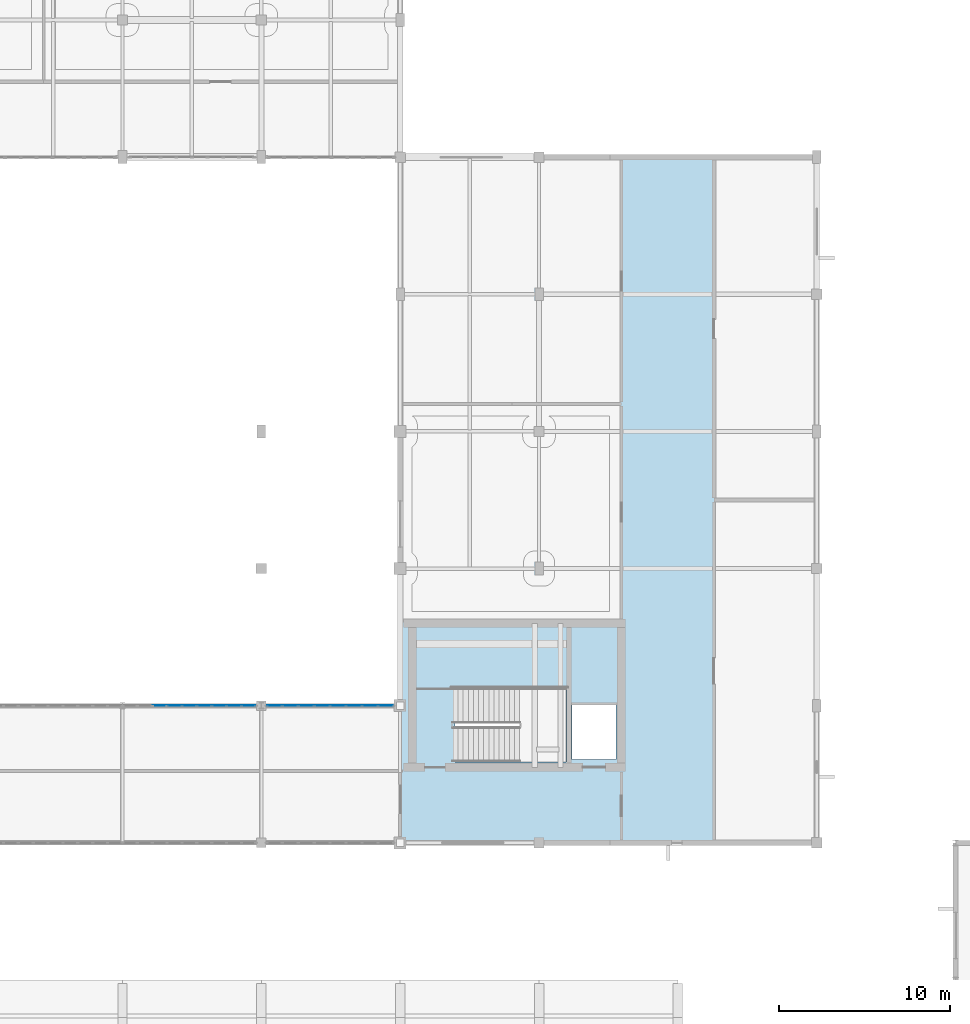
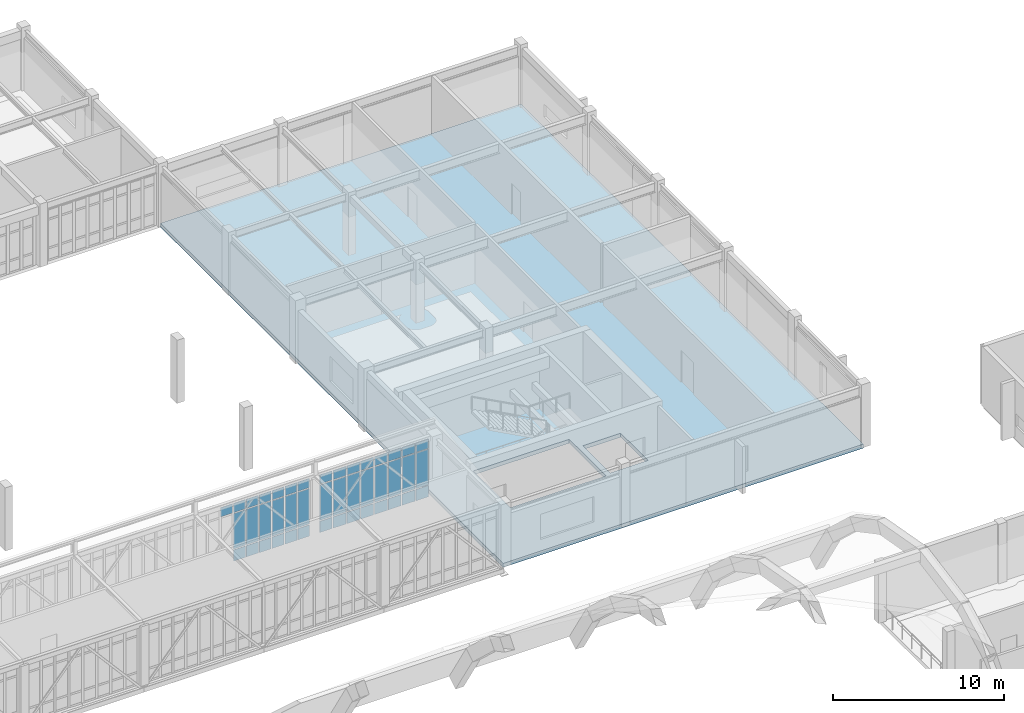
# One storey, part 43 of 67: 43 plates, 1 slab, 2 elements without a shape of their own.
"""IFC4 building model written with IfcOpenShell, lengths in metres."""

from ifc_helpers import new_model, si_unit, direction, frame, origin, origin_2d, place, context, subcontext, project, spatial, polyline, rectangle, outline, extrude, material, layer, layer_set, type_object, element, aggregate, save


model = new_model("IFC4")

# Units and contexts
model_context = context("Model", 3, precision=1e-05, world=origin(), true_north=direction((0.0, 1.0)))
body_context = subcontext(model_context, "Body", "Model", "MODEL_VIEW")
ifc_project = project(units=[si_unit("LENGTHUNIT", "METRE"), si_unit("AREAUNIT", "SQUARE_METRE"), si_unit("VOLUMEUNIT", "CUBIC_METRE"), si_unit("PLANEANGLEUNIT", "RADIAN"), si_unit("MASSUNIT", "GRAM", prefix="KILO")], contexts=[model_context])

# Site, building, storey
site_placement = place(None, origin())
site = spatial("IfcSite", under=ifc_project, at=site_placement, CompositionType="ELEMENT")
building_placement = place(site_placement, origin())
building = spatial("IfcBuilding", under=site, at=building_placement, Name="Tarnveldt Square Police Headquarters", CompositionType="ELEMENT")
storey_placement = place(building_placement, frame((0.0, 0.0, 10.199951171875)))
storey = spatial("IfcBuildingStorey", under=building, at=storey_placement, Name="L02", CompositionType="ELEMENT", Elevation=10.199951171875)

# Curtain wall, plates
ifc_material_1 = material(Name="Triple-glazed low-e laminated vision glass", Category="glass")
curtain_wall_type_1 = type_object("IfcCurtainWallType", Name="CW-SB-781x424", PredefinedType="USERDEFINED", material=ifc_material_1)
curtain_wall_1_placement = place(storey_placement, origin())
curtain_wall_1 = element("IfcCurtainWall", 1, at=curtain_wall_1_placement, inside=storey, type_object=curtain_wall_type_1, Name="L02 Curtain Wall CW-L02-150", ObjectType="GLAZED CURTAIN WALL", PredefinedType="USERDEFINED")
ifc_layer_1 = layer(ifc_material_1, 0.028076171875)
ifc_layer_set_1 = layer_set([ifc_layer_1], Name="Triple-glazed low-e laminated vision glass")
plate_type = type_object("IfcPlateType", Name="CWP-VIS-28", PredefinedType="CURTAIN_PANEL", material=ifc_layer_set_1)
plate_1_placement = place(storey_placement, frame((91.26953125, 64.0, 3.5224609375), z_axis=(0.0, 0.0, 1.0), x_axis=(1.0, 0.0, 0.0)))
plate_1 = element("IfcPlate", 2, at=plate_1_placement, type_object=plate_type, Name="CW-SB87 panel 3.3", PredefinedType="CURTAIN_PANEL", context=body_context, shape_type="SweptSolid", body=[
    extrude(rectangle(XDim=0.802734375, YDim=0.028076171875, at=origin_2d()), origin(), (0.0, 0.0, 1.0), 0.652587890625),
])
plate_2_placement = place(storey_placement, frame((92.13720703125, 64.0, 0.06494140625), z_axis=(0.0, 0.0, 1.0), x_axis=(1.0, 0.0, 0.0)))
plate_2 = element("IfcPlate", 3, at=plate_2_placement, type_object=plate_type, Name="CW-SB87 panel 4.1", PredefinedType="CURTAIN_PANEL", context=body_context, shape_type="SweptSolid", body=[
    extrude(rectangle(XDim=0.802734375, YDim=0.028076171875, at=origin_2d()), origin(), (0.0, 0.0, 1.0), 0.802490234375),
])
plate_3_placement = place(storey_placement, frame((92.13720703125, 64.0, 0.9326171875), z_axis=(0.0, 0.0, 1.0), x_axis=(1.0, 0.0, 0.0)))
plate_3 = element("IfcPlate", 4, at=plate_3_placement, type_object=plate_type, Name="CW-SB87 panel 4.2", PredefinedType="CURTAIN_PANEL", context=body_context, shape_type="SweptSolid", body=[
    extrude(rectangle(XDim=0.802734375, YDim=0.028076171875, at=origin_2d()), origin(), (0.0, 0.0, 1.0), 2.52490234375),
])
plate_4_placement = place(storey_placement, frame((92.13720703125, 64.0, 3.5224609375), z_axis=(0.0, 0.0, 1.0), x_axis=(1.0, 0.0, 0.0)))
plate_4 = element("IfcPlate", 5, at=plate_4_placement, type_object=plate_type, Name="CW-SB87 panel 4.3", PredefinedType="CURTAIN_PANEL", context=body_context, shape_type="SweptSolid", body=[
    extrude(rectangle(XDim=0.802734375, YDim=0.028076171875, at=origin_2d()), origin(), (0.0, 0.0, 1.0), 0.652587890625),
])
plate_5_placement = place(storey_placement, frame((93.0048828125, 64.0, 0.06494140625), z_axis=(0.0, 0.0, 1.0), x_axis=(1.0, 0.0, 0.0)))
plate_5 = element("IfcPlate", 6, at=plate_5_placement, type_object=plate_type, Name="CW-SB87 panel 5.1", PredefinedType="CURTAIN_PANEL", context=body_context, shape_type="SweptSolid", body=[
    extrude(rectangle(XDim=0.802734375, YDim=0.028076171875, at=origin_2d()), origin(), (0.0, 0.0, 1.0), 0.802490234375),
])
plate_6_placement = place(storey_placement, frame((93.0048828125, 64.0, 0.9326171875), z_axis=(0.0, 0.0, 1.0), x_axis=(1.0, 0.0, 0.0)))
plate_6 = element("IfcPlate", 7, at=plate_6_placement, type_object=plate_type, Name="CW-SB87 panel 5.2", PredefinedType="CURTAIN_PANEL", context=body_context, shape_type="SweptSolid", body=[
    extrude(rectangle(XDim=0.802734375, YDim=0.028076171875, at=origin_2d()), origin(), (0.0, 0.0, 1.0), 2.52490234375),
])
plate_7_placement = place(storey_placement, frame((93.0048828125, 64.0, 3.5224609375), z_axis=(0.0, 0.0, 1.0), x_axis=(1.0, 0.0, 0.0)))
plate_7 = element("IfcPlate", 8, at=plate_7_placement, type_object=plate_type, Name="CW-SB87 panel 5.3", PredefinedType="CURTAIN_PANEL", context=body_context, shape_type="SweptSolid", body=[
    extrude(rectangle(XDim=0.802734375, YDim=0.028076171875, at=origin_2d()), origin(), (0.0, 0.0, 1.0), 0.652587890625),
])
plate_8_placement = place(storey_placement, frame((93.872802734375, 64.0, 0.06494140625), z_axis=(0.0, 0.0, 1.0), x_axis=(1.0, 0.0, 0.0)))
plate_8 = element("IfcPlate", 9, at=plate_8_placement, type_object=plate_type, Name="CW-SB87 panel 6.1", PredefinedType="CURTAIN_PANEL", context=body_context, shape_type="SweptSolid", body=[
    extrude(rectangle(XDim=0.802734375, YDim=0.028076171875, at=origin_2d()), origin(), (0.0, 0.0, 1.0), 0.802490234375),
])
plate_9_placement = place(storey_placement, frame((93.872802734375, 64.0, 0.9326171875), z_axis=(0.0, 0.0, 1.0), x_axis=(1.0, 0.0, 0.0)))
plate_9 = element("IfcPlate", 10, at=plate_9_placement, type_object=plate_type, Name="CW-SB87 panel 6.2", PredefinedType="CURTAIN_PANEL", context=body_context, shape_type="SweptSolid", body=[
    extrude(rectangle(XDim=0.802734375, YDim=0.028076171875, at=origin_2d()), origin(), (0.0, 0.0, 1.0), 2.52490234375),
])
plate_10_placement = place(storey_placement, frame((93.872802734375, 64.0, 3.5224609375), z_axis=(0.0, 0.0, 1.0), x_axis=(1.0, 0.0, 0.0)))
plate_10 = element("IfcPlate", 11, at=plate_10_placement, type_object=plate_type, Name="CW-SB87 panel 6.3", PredefinedType="CURTAIN_PANEL", context=body_context, shape_type="SweptSolid", body=[
    extrude(rectangle(XDim=0.802734375, YDim=0.028076171875, at=origin_2d()), origin(), (0.0, 0.0, 1.0), 0.652587890625),
])
plate_11_placement = place(storey_placement, frame((94.740478515625, 64.0, 0.06494140625), z_axis=(0.0, 0.0, 1.0), x_axis=(1.0, 0.0, 0.0)))
plate_11 = element("IfcPlate", 12, at=plate_11_placement, type_object=plate_type, Name="CW-SB87 panel 7.1", PredefinedType="CURTAIN_PANEL", context=body_context, shape_type="SweptSolid", body=[
    extrude(rectangle(XDim=0.802734375, YDim=0.028076171875, at=origin_2d()), origin(), (0.0, 0.0, 1.0), 0.802490234375),
])
plate_12_placement = place(storey_placement, frame((94.740478515625, 64.0, 0.9326171875), z_axis=(0.0, 0.0, 1.0), x_axis=(1.0, 0.0, 0.0)))
plate_12 = element("IfcPlate", 13, at=plate_12_placement, type_object=plate_type, Name="CW-SB87 panel 7.2", PredefinedType="CURTAIN_PANEL", context=body_context, shape_type="SweptSolid", body=[
    extrude(rectangle(XDim=0.802734375, YDim=0.028076171875, at=origin_2d()), origin(), (0.0, 0.0, 1.0), 2.52490234375),
])
plate_13_placement = place(storey_placement, frame((94.740478515625, 64.0, 3.5224609375), z_axis=(0.0, 0.0, 1.0), x_axis=(1.0, 0.0, 0.0)))
plate_13 = element("IfcPlate", 14, at=plate_13_placement, type_object=plate_type, Name="CW-SB87 panel 7.3", PredefinedType="CURTAIN_PANEL", context=body_context, shape_type="SweptSolid", body=[
    extrude(rectangle(XDim=0.802734375, YDim=0.028076171875, at=origin_2d()), origin(), (0.0, 0.0, 1.0), 0.652587890625),
])
plate_14_placement = place(storey_placement, frame((95.6083984375, 64.0, 0.06494140625), z_axis=(0.0, 0.0, 1.0), x_axis=(1.0, 0.0, 0.0)))
plate_14 = element("IfcPlate", 15, at=plate_14_placement, type_object=plate_type, Name="CW-SB87 panel 8.1", PredefinedType="CURTAIN_PANEL", context=body_context, shape_type="SweptSolid", body=[
    extrude(rectangle(XDim=0.802734375, YDim=0.028076171875, at=origin_2d()), origin(), (0.0, 0.0, 1.0), 0.802490234375),
])
plate_15_placement = place(storey_placement, frame((95.6083984375, 64.0, 0.9326171875), z_axis=(0.0, 0.0, 1.0), x_axis=(1.0, 0.0, 0.0)))
plate_15 = element("IfcPlate", 16, at=plate_15_placement, type_object=plate_type, Name="CW-SB87 panel 8.2", PredefinedType="CURTAIN_PANEL", context=body_context, shape_type="SweptSolid", body=[
    extrude(rectangle(XDim=0.802734375, YDim=0.028076171875, at=origin_2d()), origin(), (0.0, 0.0, 1.0), 2.52490234375),
])
plate_16_placement = place(storey_placement, frame((95.6083984375, 64.0, 3.5224609375), z_axis=(0.0, 0.0, 1.0), x_axis=(1.0, 0.0, 0.0)))
plate_16 = element("IfcPlate", 17, at=plate_16_placement, type_object=plate_type, Name="CW-SB87 panel 8.3", PredefinedType="CURTAIN_PANEL", context=body_context, shape_type="SweptSolid", body=[
    extrude(rectangle(XDim=0.802734375, YDim=0.028076171875, at=origin_2d()), origin(), (0.0, 0.0, 1.0), 0.652587890625),
])
plate_17_placement = place(storey_placement, frame((96.4599609375, 64.0, 0.06494140625), z_axis=(0.0, 0.0, 1.0), x_axis=(1.0, 0.0, 0.0)))
plate_17 = element("IfcPlate", 18, at=plate_17_placement, type_object=plate_type, Name="CW-SB87 panel 9.1", PredefinedType="CURTAIN_PANEL", context=body_context, shape_type="SweptSolid", body=[
    extrude(rectangle(XDim=0.770263671875, YDim=0.028076171875, at=origin_2d()), origin(), (0.0, 0.0, 1.0), 0.802490234375),
])
plate_18_placement = place(storey_placement, frame((96.4599609375, 64.0, 0.9326171875), z_axis=(0.0, 0.0, 1.0), x_axis=(1.0, 0.0, 0.0)))
plate_18 = element("IfcPlate", 19, at=plate_18_placement, type_object=plate_type, Name="CW-SB87 panel 9.2", PredefinedType="CURTAIN_PANEL", context=body_context, shape_type="SweptSolid", body=[
    extrude(rectangle(XDim=0.770263671875, YDim=0.028076171875, at=origin_2d()), origin(), (0.0, 0.0, 1.0), 2.52490234375),
])
plate_19_placement = place(storey_placement, frame((96.4599609375, 64.0, 3.5224609375), z_axis=(0.0, 0.0, 1.0), x_axis=(1.0, 0.0, 0.0)))
plate_19 = element("IfcPlate", 20, at=plate_19_placement, type_object=plate_type, Name="CW-SB87 panel 9.3", PredefinedType="CURTAIN_PANEL", context=body_context, shape_type="SweptSolid", body=[
    extrude(rectangle(XDim=0.770263671875, YDim=0.028076171875, at=origin_2d()), origin(), (0.0, 0.0, 1.0), 0.652587890625),
])
aggregate(curtain_wall_1, [plate_1, plate_2, plate_3, plate_4, plate_5, plate_6, plate_7, plate_8, plate_9, plate_10, plate_11, plate_12, plate_13, plate_14, plate_15, plate_16, plate_17, plate_18, plate_19])

curtain_wall_type_2 = type_object("IfcCurtainWallType", Name="CW-SB-745x424", PredefinedType="USERDEFINED", material=ifc_material_1)
curtain_wall_2_placement = place(storey_placement, origin())
curtain_wall_2 = element("IfcCurtainWall", 21, at=curtain_wall_2_placement, inside=storey, type_object=curtain_wall_type_2, Name="L02 Curtain Wall CW-L02-151", ObjectType="GLAZED CURTAIN WALL", PredefinedType="USERDEFINED")
plate_20_placement = place(storey_placement, frame((97.9716796875, 64.0, 0.06494140625), z_axis=(0.0, 0.0, 1.0), x_axis=(1.0, 0.0, 0.0)))
plate_20 = element("IfcPlate", 22, at=plate_20_placement, type_object=plate_type, Name="CW-SB88 panel 1.1", PredefinedType="CURTAIN_PANEL", context=body_context, shape_type="SweptSolid", body=[
    extrude(rectangle(XDim=0.8330078125, YDim=0.028076171875, at=origin_2d()), origin(), (0.0, 0.0, 1.0), 0.802490234375),
])
plate_21_placement = place(storey_placement, frame((97.9716796875, 64.0, 0.9326171875), z_axis=(0.0, 0.0, 1.0), x_axis=(1.0, 0.0, 0.0)))
plate_21 = element("IfcPlate", 23, at=plate_21_placement, type_object=plate_type, Name="CW-SB88 panel 1.2", PredefinedType="CURTAIN_PANEL", context=body_context, shape_type="SweptSolid", body=[
    extrude(rectangle(XDim=0.8330078125, YDim=0.028076171875, at=origin_2d()), origin(), (0.0, 0.0, 1.0), 2.52490234375),
])
plate_22_placement = place(storey_placement, frame((97.9716796875, 64.0, 3.5224609375), z_axis=(0.0, 0.0, 1.0), x_axis=(1.0, 0.0, 0.0)))
plate_22 = element("IfcPlate", 24, at=plate_22_placement, type_object=plate_type, Name="CW-SB88 panel 1.3", PredefinedType="CURTAIN_PANEL", context=body_context, shape_type="SweptSolid", body=[
    extrude(rectangle(XDim=0.8330078125, YDim=0.028076171875, at=origin_2d()), origin(), (0.0, 0.0, 1.0), 0.652587890625),
])
plate_23_placement = place(storey_placement, frame((98.885986328125, 64.0, 0.06494140625), z_axis=(0.0, 0.0, 1.0), x_axis=(1.0, 0.0, 0.0)))
plate_23 = element("IfcPlate", 25, at=plate_23_placement, type_object=plate_type, Name="CW-SB88 panel 2.1", PredefinedType="CURTAIN_PANEL", context=body_context, shape_type="SweptSolid", body=[
    extrude(rectangle(XDim=0.86572265625, YDim=0.028076171875, at=origin_2d()), origin(), (0.0, 0.0, 1.0), 0.802490234375),
])
plate_24_placement = place(storey_placement, frame((98.885986328125, 64.0, 0.9326171875), z_axis=(0.0, 0.0, 1.0), x_axis=(1.0, 0.0, 0.0)))
plate_24 = element("IfcPlate", 26, at=plate_24_placement, type_object=plate_type, Name="CW-SB88 panel 2.2", PredefinedType="CURTAIN_PANEL", context=body_context, shape_type="SweptSolid", body=[
    extrude(rectangle(XDim=0.86572265625, YDim=0.028076171875, at=origin_2d()), origin(), (0.0, 0.0, 1.0), 2.52490234375),
])
plate_25_placement = place(storey_placement, frame((98.885986328125, 64.0, 3.5224609375), z_axis=(0.0, 0.0, 1.0), x_axis=(1.0, 0.0, 0.0)))
plate_25 = element("IfcPlate", 27, at=plate_25_placement, type_object=plate_type, Name="CW-SB88 panel 2.3", PredefinedType="CURTAIN_PANEL", context=body_context, shape_type="SweptSolid", body=[
    extrude(rectangle(XDim=0.86572265625, YDim=0.028076171875, at=origin_2d()), origin(), (0.0, 0.0, 1.0), 0.652587890625),
])
plate_26_placement = place(storey_placement, frame((99.816650390625, 64.0, 0.06494140625), z_axis=(0.0, 0.0, 1.0), x_axis=(1.0, 0.0, 0.0)))
plate_26 = element("IfcPlate", 28, at=plate_26_placement, type_object=plate_type, Name="CW-SB88 panel 3.1", PredefinedType="CURTAIN_PANEL", context=body_context, shape_type="SweptSolid", body=[
    extrude(rectangle(XDim=0.86572265625, YDim=0.028076171875, at=origin_2d()), origin(), (0.0, 0.0, 1.0), 0.802490234375),
])
plate_27_placement = place(storey_placement, frame((99.816650390625, 64.0, 0.9326171875), z_axis=(0.0, 0.0, 1.0), x_axis=(1.0, 0.0, 0.0)))
plate_27 = element("IfcPlate", 29, at=plate_27_placement, type_object=plate_type, Name="CW-SB88 panel 3.2", PredefinedType="CURTAIN_PANEL", context=body_context, shape_type="SweptSolid", body=[
    extrude(rectangle(XDim=0.86572265625, YDim=0.028076171875, at=origin_2d()), origin(), (0.0, 0.0, 1.0), 2.52490234375),
])
plate_28_placement = place(storey_placement, frame((99.816650390625, 64.0, 3.5224609375), z_axis=(0.0, 0.0, 1.0), x_axis=(1.0, 0.0, 0.0)))
plate_28 = element("IfcPlate", 30, at=plate_28_placement, type_object=plate_type, Name="CW-SB88 panel 3.3", PredefinedType="CURTAIN_PANEL", context=body_context, shape_type="SweptSolid", body=[
    extrude(rectangle(XDim=0.86572265625, YDim=0.028076171875, at=origin_2d()), origin(), (0.0, 0.0, 1.0), 0.652587890625),
])
plate_29_placement = place(storey_placement, frame((100.7470703125, 64.0, 0.06494140625), z_axis=(0.0, 0.0, 1.0), x_axis=(1.0, 0.0, 0.0)))
plate_29 = element("IfcPlate", 31, at=plate_29_placement, type_object=plate_type, Name="CW-SB88 panel 4.1", PredefinedType="CURTAIN_PANEL", context=body_context, shape_type="SweptSolid", body=[
    extrude(rectangle(XDim=0.86572265625, YDim=0.028076171875, at=origin_2d()), origin(), (0.0, 0.0, 1.0), 0.802490234375),
])
plate_30_placement = place(storey_placement, frame((100.7470703125, 64.0, 0.9326171875), z_axis=(0.0, 0.0, 1.0), x_axis=(1.0, 0.0, 0.0)))
plate_30 = element("IfcPlate", 32, at=plate_30_placement, type_object=plate_type, Name="CW-SB88 panel 4.2", PredefinedType="CURTAIN_PANEL", context=body_context, shape_type="SweptSolid", body=[
    extrude(rectangle(XDim=0.86572265625, YDim=0.028076171875, at=origin_2d()), origin(), (0.0, 0.0, 1.0), 2.52490234375),
])
plate_31_placement = place(storey_placement, frame((100.7470703125, 64.0, 3.5224609375), z_axis=(0.0, 0.0, 1.0), x_axis=(1.0, 0.0, 0.0)))
plate_31 = element("IfcPlate", 33, at=plate_31_placement, type_object=plate_type, Name="CW-SB88 panel 4.3", PredefinedType="CURTAIN_PANEL", context=body_context, shape_type="SweptSolid", body=[
    extrude(rectangle(XDim=0.86572265625, YDim=0.028076171875, at=origin_2d()), origin(), (0.0, 0.0, 1.0), 0.652587890625),
])
plate_32_placement = place(storey_placement, frame((101.677734375, 64.0, 0.06494140625), z_axis=(0.0, 0.0, 1.0), x_axis=(1.0, 0.0, 0.0)))
plate_32 = element("IfcPlate", 34, at=plate_32_placement, type_object=plate_type, Name="CW-SB88 panel 5.1", PredefinedType="CURTAIN_PANEL", context=body_context, shape_type="SweptSolid", body=[
    extrude(rectangle(XDim=0.86572265625, YDim=0.028076171875, at=origin_2d()), origin(), (0.0, 0.0, 1.0), 0.802490234375),
])
plate_33_placement = place(storey_placement, frame((101.677734375, 64.0, 0.9326171875), z_axis=(0.0, 0.0, 1.0), x_axis=(1.0, 0.0, 0.0)))
plate_33 = element("IfcPlate", 35, at=plate_33_placement, type_object=plate_type, Name="CW-SB88 panel 5.2", PredefinedType="CURTAIN_PANEL", context=body_context, shape_type="SweptSolid", body=[
    extrude(rectangle(XDim=0.86572265625, YDim=0.028076171875, at=origin_2d()), origin(), (0.0, 0.0, 1.0), 2.52490234375),
])
plate_34_placement = place(storey_placement, frame((101.677734375, 64.0, 3.5224609375), z_axis=(0.0, 0.0, 1.0), x_axis=(1.0, 0.0, 0.0)))
plate_34 = element("IfcPlate", 36, at=plate_34_placement, type_object=plate_type, Name="CW-SB88 panel 5.3", PredefinedType="CURTAIN_PANEL", context=body_context, shape_type="SweptSolid", body=[
    extrude(rectangle(XDim=0.86572265625, YDim=0.028076171875, at=origin_2d()), origin(), (0.0, 0.0, 1.0), 0.652587890625),
])
plate_35_placement = place(storey_placement, frame((102.6083984375, 64.0, 0.06494140625), z_axis=(0.0, 0.0, 1.0), x_axis=(1.0, 0.0, 0.0)))
plate_35 = element("IfcPlate", 37, at=plate_35_placement, type_object=plate_type, Name="CW-SB88 panel 6.1", PredefinedType="CURTAIN_PANEL", context=body_context, shape_type="SweptSolid", body=[
    extrude(rectangle(XDim=0.86572265625, YDim=0.028076171875, at=origin_2d()), origin(), (0.0, 0.0, 1.0), 0.802490234375),
])
plate_36_placement = place(storey_placement, frame((102.6083984375, 64.0, 0.9326171875), z_axis=(0.0, 0.0, 1.0), x_axis=(1.0, 0.0, 0.0)))
plate_36 = element("IfcPlate", 38, at=plate_36_placement, type_object=plate_type, Name="CW-SB88 panel 6.2", PredefinedType="CURTAIN_PANEL", context=body_context, shape_type="SweptSolid", body=[
    extrude(rectangle(XDim=0.86572265625, YDim=0.028076171875, at=origin_2d()), origin(), (0.0, 0.0, 1.0), 2.52490234375),
])
plate_37_placement = place(storey_placement, frame((102.6083984375, 64.0, 3.5224609375), z_axis=(0.0, 0.0, 1.0), x_axis=(1.0, 0.0, 0.0)))
plate_37 = element("IfcPlate", 39, at=plate_37_placement, type_object=plate_type, Name="CW-SB88 panel 6.3", PredefinedType="CURTAIN_PANEL", context=body_context, shape_type="SweptSolid", body=[
    extrude(rectangle(XDim=0.86572265625, YDim=0.028076171875, at=origin_2d()), origin(), (0.0, 0.0, 1.0), 0.652587890625),
])
plate_38_placement = place(storey_placement, frame((103.5390625, 64.0, 0.06494140625), z_axis=(0.0, 0.0, 1.0), x_axis=(1.0, 0.0, 0.0)))
plate_38 = element("IfcPlate", 40, at=plate_38_placement, type_object=plate_type, Name="CW-SB88 panel 7.1", PredefinedType="CURTAIN_PANEL", context=body_context, shape_type="SweptSolid", body=[
    extrude(rectangle(XDim=0.86572265625, YDim=0.028076171875, at=origin_2d()), origin(), (0.0, 0.0, 1.0), 0.802490234375),
])
plate_39_placement = place(storey_placement, frame((103.5390625, 64.0, 0.9326171875), z_axis=(0.0, 0.0, 1.0), x_axis=(1.0, 0.0, 0.0)))
plate_39 = element("IfcPlate", 41, at=plate_39_placement, type_object=plate_type, Name="CW-SB88 panel 7.2", PredefinedType="CURTAIN_PANEL", context=body_context, shape_type="SweptSolid", body=[
    extrude(rectangle(XDim=0.86572265625, YDim=0.028076171875, at=origin_2d()), origin(), (0.0, 0.0, 1.0), 2.52490234375),
])
plate_40_placement = place(storey_placement, frame((103.5390625, 64.0, 3.5224609375), z_axis=(0.0, 0.0, 1.0), x_axis=(1.0, 0.0, 0.0)))
plate_40 = element("IfcPlate", 42, at=plate_40_placement, type_object=plate_type, Name="CW-SB88 panel 7.3", PredefinedType="CURTAIN_PANEL", context=body_context, shape_type="SweptSolid", body=[
    extrude(rectangle(XDim=0.86572265625, YDim=0.028076171875, at=origin_2d()), origin(), (0.0, 0.0, 1.0), 0.652587890625),
])
plate_41_placement = place(storey_placement, frame((104.453369140625, 64.0, 0.06494140625), z_axis=(0.0, 0.0, 1.0), x_axis=(1.0, 0.0, 0.0)))
plate_41 = element("IfcPlate", 43, at=plate_41_placement, type_object=plate_type, Name="CW-SB88 panel 8.1", PredefinedType="CURTAIN_PANEL", context=body_context, shape_type="SweptSolid", body=[
    extrude(rectangle(XDim=0.8330078125, YDim=0.028076171875, at=origin_2d()), origin(), (0.0, 0.0, 1.0), 0.802490234375),
])
plate_42_placement = place(storey_placement, frame((104.453369140625, 64.0, 0.9326171875), z_axis=(0.0, 0.0, 1.0), x_axis=(1.0, 0.0, 0.0)))
plate_42 = element("IfcPlate", 44, at=plate_42_placement, type_object=plate_type, Name="CW-SB88 panel 8.2", PredefinedType="CURTAIN_PANEL", context=body_context, shape_type="SweptSolid", body=[
    extrude(rectangle(XDim=0.8330078125, YDim=0.028076171875, at=origin_2d()), origin(), (0.0, 0.0, 1.0), 2.52490234375),
])
plate_43_placement = place(storey_placement, frame((104.453369140625, 64.0, 3.5224609375), z_axis=(0.0, 0.0, 1.0), x_axis=(1.0, 0.0, 0.0)))
plate_43 = element("IfcPlate", 45, at=plate_43_placement, type_object=plate_type, Name="CW-SB88 panel 8.3", PredefinedType="CURTAIN_PANEL", context=body_context, shape_type="SweptSolid", body=[
    extrude(rectangle(XDim=0.8330078125, YDim=0.028076171875, at=origin_2d()), origin(), (0.0, 0.0, 1.0), 0.652587890625),
])
aggregate(curtain_wall_2, [plate_20, plate_21, plate_22, plate_23, plate_24, plate_25, plate_26, plate_27, plate_28, plate_29, plate_30, plate_31, plate_32, plate_33, plate_34, plate_35, plate_36, plate_37, plate_38, plate_39, plate_40, plate_41, plate_42, plate_43])

# Slab
ifc_material_2 = material(Name="Concrete 40 MPa", Category="concrete")
ifc_layer_2 = layer(ifc_material_2, 0.280029296875)
ifc_layer_set_2 = layer_set([ifc_layer_2], Name="Concrete 40 MPa")
slab_type = type_object("IfcSlabType", Name="SL-POD-280", PredefinedType="FLOOR", material=ifc_layer_set_2)
slab_placement = place(storey_placement, frame((0.0, 0.0, -0.280029296875)))
element("IfcSlab", 46, at=slab_placement, inside=storey, type_object=slab_type, Name="L02 Structural Floor Slab L02-V7-1", PredefinedType="FLOOR", context=body_context, shape_type="SweptSolid", body=[
    extrude(outline(polyline([(129.60009765625, 96.0), (129.60009765625, 56.0), (105.300048828125, 56.0), (105.300048828125, 96.0), (129.60009765625, 96.0)]), holes=[polyline([(115.330078125, 64.050048828125), (115.330078125, 60.85009765625), (117.8798828125, 60.85009765625), (117.8798828125, 64.050048828125), (115.330078125, 64.050048828125)]), polyline([(108.510009765625, 65.02001953125), (108.510009765625, 60.719970703125), (114.969970703125, 60.719970703125), (114.969970703125, 65.02001953125), (108.510009765625, 65.02001953125)])]), origin(), (0.0, 0.0, 1.0), 0.280029296875),
])

save(model, "model.ifc")
